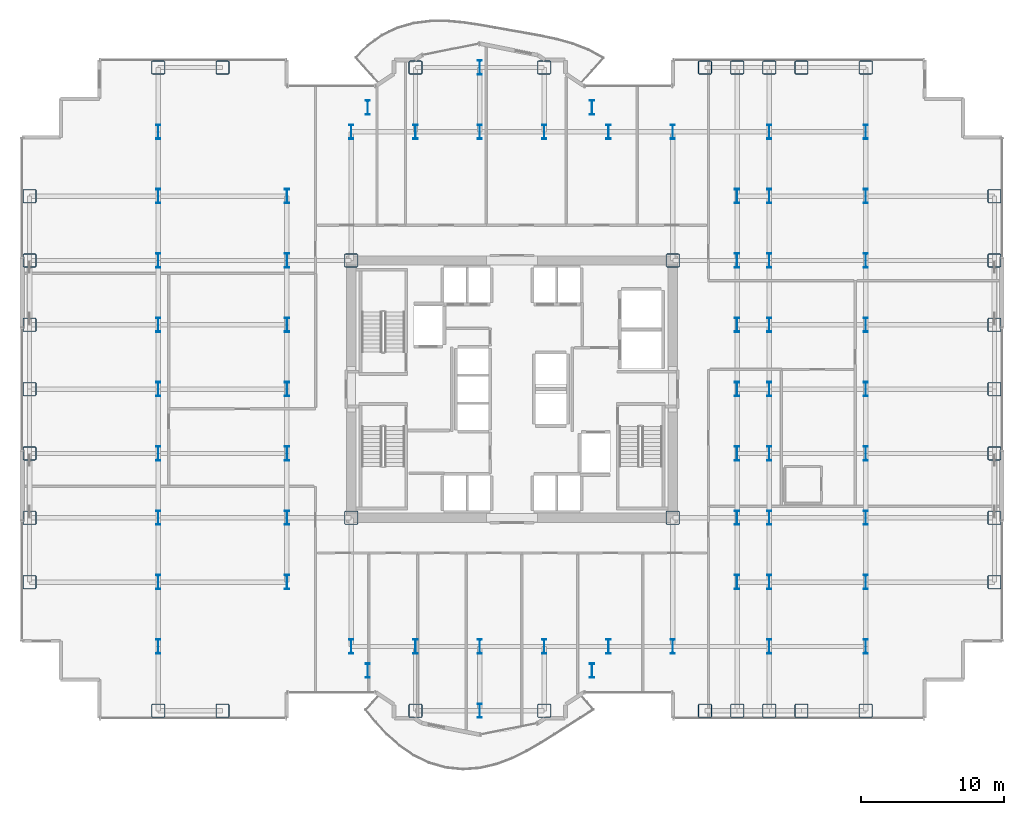
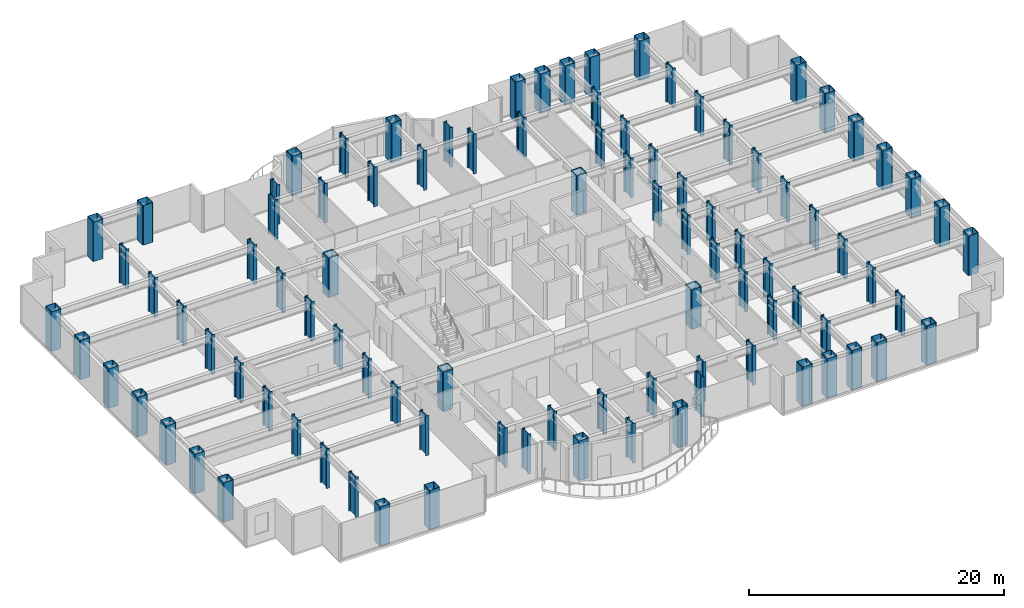
# One storey, part 1 of 29: 95 columns.
"""IFC4 building model written with IfcOpenShell, lengths in metres."""

import ifcopenshell
import ifcopenshell.guid

model = None  # the IFC model being written
_history = None  # IfcOwnerHistory: only IFC2X3 demands one
_inside = {}  # id of a spatial element -> (the spatial element, [elements in it])
_under = {}  # id of a project, library or spatial element -> (it, [spatial elements below it])
_declared = {}  # id of a project -> (the project, [libraries it declares])
_typed = {}  # id of a type object -> (the type object, [elements of that type])
_made_of = {}  # id of a material, layer set ... -> (it, [elements and type objects made of it])


def new_model(schema):
    """Start an empty IFC model of exactly this schema.

    Asked for "IFC4X3", IfcOpenShell would pick the latest addendum, in which some entities
    have other attributes; the version numbers below select the first issue.
    IFC2X3 requires an IfcOwnerHistory on every rooted entity: one is made here for all.
    """
    global model, _history
    if schema == "IFC4X3":
        model = ifcopenshell.file(schema_version=(4, 3, 0, 0))
    else:
        model = ifcopenshell.file(schema=schema)
    _inside.clear()
    _under.clear()
    _declared.clear()
    _typed.clear()
    _made_of.clear()
    _history = None
    if model.schema == "IFC2X3":
        org = make("IfcOrganization", Name="unknown")
        user = make(
            "IfcPersonAndOrganization",
            ThePerson=make("IfcPerson", FamilyName="unknown"),
            TheOrganization=org,
        )
        app = make(
            "IfcApplication",
            ApplicationDeveloper=org,
            Version="unknown",
            ApplicationFullName="unknown",
            ApplicationIdentifier="unknown",
        )
        _history = make(
            "IfcOwnerHistory",
            OwningUser=user,
            OwningApplication=app,
            ChangeAction="ADDED",
            CreationDate=0,
        )
    return model


def make(cls, **values):
    """One entity of the class cls with the attributes given. An attribute that is None is left unset."""
    return model.create_entity(
        cls, **{name: value for name, value in values.items() if value is not None}
    )


def rooted(cls, **values):
    """An entity with a GlobalId (a new one), such as an element, a storey or a relation."""
    return make(cls, GlobalId=ifcopenshell.guid.new(), OwnerHistory=_history, **values)


def si_unit(unit_type, name, prefix=None):
    """IfcSIUnit, for example si_unit("LENGTHUNIT", "METRE", prefix="MILLI")."""
    return make("IfcSIUnit", UnitType=unit_type, Prefix=prefix, Name=name)


def assignment(units):
    """IfcUnitAssignment: the units of a project."""
    return None if units is None else make("IfcUnitAssignment", Units=units)


def point(xyz):
    """IfcCartesianPoint."""
    return None if xyz is None else make("IfcCartesianPoint", Coordinates=xyz)


def direction(xyz):
    """IfcDirection."""
    return None if xyz is None else make("IfcDirection", DirectionRatios=xyz)


def frame(location, z_axis=None, x_axis=None):
    """IfcAxis2Placement3D, a coordinate frame: its origin and axes. An axis left out is left unset."""
    return make(
        "IfcAxis2Placement3D",
        Location=point(location),
        Axis=direction(z_axis),
        RefDirection=direction(x_axis),
    )


def frame_2d(location, x_axis=None):
    """IfcAxis2Placement2D, a coordinate frame in the plane: its origin and x axis."""
    return make(
        "IfcAxis2Placement2D", Location=point(location), RefDirection=direction(x_axis)
    )


def origin():
    """The frame at (0, 0, 0) with its axes left unset."""
    return frame((0.0, 0.0, 0.0))


def origin_2d():
    """The frame at (0, 0) in the plane with its x axis left unset."""
    return frame_2d((0.0, 0.0))


def place(relative_to, where):
    """IfcLocalPlacement: puts the frame where relative to a parent placement (None: the world)."""
    return make(
        "IfcLocalPlacement", PlacementRelTo=relative_to, RelativePlacement=where
    )


def context(
    kind, dimensions, precision=None, world=None, true_north=None, identifier=None
):
    """IfcGeometricRepresentationContext, for example the 3D "Model" context."""
    return make(
        "IfcGeometricRepresentationContext",
        ContextIdentifier=identifier,
        ContextType=kind,
        CoordinateSpaceDimension=dimensions,
        Precision=precision,
        WorldCoordinateSystem=world,
        TrueNorth=true_north,
    )


def subcontext(parent, identifier, kind, view, scale=None):
    """IfcGeometricRepresentationSubContext, for example "Body" below "Model"."""
    return make(
        "IfcGeometricRepresentationSubContext",
        ContextIdentifier=identifier,
        ContextType=kind,
        ParentContext=parent,
        TargetScale=scale,
        TargetView=view,
    )


def project(units=None, contexts=None):
    """IfcProject with its units and contexts."""
    return rooted(
        "IfcProject",
        Name="project",
        RepresentationContexts=contexts,
        UnitsInContext=assignment(units),
    )


def spatial(cls, under=None, at=None, **own):
    """A site, building, storey or space (cls), placed at a placement, below another one or the project."""
    s = rooted(cls, ObjectPlacement=at, **own)
    if under is not None:
        _under.setdefault(under.id(), (under, []))[1].append(s)
    return s


def profile(cls, at=None, kind="AREA", **sizes):
    """A parametric profile (cls). Its sizes go by their IFC names, for example OverallWidth=200.0."""
    return make(cls, ProfileType=kind, Position=at, **sizes)


def hollow_rectangle(**sizes):
    """IfcRectangleHollowProfileDef."""
    return profile("IfcRectangleHollowProfileDef", **sizes)


def i_section(**sizes):
    """IfcIShapeProfileDef."""
    return profile("IfcIShapeProfileDef", **sizes)


def extrude(swept, where, along, depth):
    """IfcExtrudedAreaSolid: the profile swept, set in the frame where, extruded along a direction by depth."""
    return make(
        "IfcExtrudedAreaSolid",
        SweptArea=swept,
        Position=where,
        ExtrudedDirection=direction(along),
        Depth=depth,
    )


def shape(context_of_items, identifier, shape_type, items):
    """IfcShapeRepresentation: the items that make up one representation, for example the "Body"."""
    return make(
        "IfcShapeRepresentation",
        ContextOfItems=context_of_items,
        RepresentationIdentifier=identifier,
        RepresentationType=shape_type,
        Items=items,
    )


def source(mapping_origin, context_of_items, identifier, shape_type, items):
    """IfcRepresentationMap: a shape defined once, which mapped items show again and again."""
    return make(
        "IfcRepresentationMap",
        MappingOrigin=mapping_origin,
        MappedRepresentation=shape(context_of_items, identifier, shape_type, items),
    )


def transform(
    local_origin,
    x_axis=None,
    y_axis=None,
    z_axis=None,
    scale=None,
    scale2=None,
    scale3=None,
    uniform=True,
):
    """IfcCartesianTransformationOperator3D, or its non-uniform kind. x_axis, y_axis, z_axis: its Axis1, 2, 3."""
    if uniform:
        return make(
            "IfcCartesianTransformationOperator3D",
            Axis1=direction(x_axis),
            Axis2=direction(y_axis),
            LocalOrigin=point(local_origin),
            Scale=scale,
            Axis3=direction(z_axis),
        )
    return make(
        "IfcCartesianTransformationOperator3DnonUniform",
        Axis1=direction(x_axis),
        Axis2=direction(y_axis),
        LocalOrigin=point(local_origin),
        Scale=scale,
        Axis3=direction(z_axis),
        Scale2=scale2,
        Scale3=scale3,
    )


def mapped(mapping_source, mapping_target):
    """IfcMappedItem: shows the shape of a source again, moved by a transform."""
    return make(
        "IfcMappedItem", MappingSource=mapping_source, MappingTarget=mapping_target
    )


def material(Name=None, Category=None):
    """IfcMaterial."""
    return make("IfcMaterial", Name=Name, Category=Category)


def material_profile(
    of_material, cross_section, Name=None, Category=None, Priority=None
):
    """IfcMaterialProfile: a cross section and its material."""
    return make(
        "IfcMaterialProfile",
        Name=Name,
        Material=of_material,
        Profile=cross_section,
        Priority=Priority,
        Category=Category,
    )


def profile_set(profiles, Name=None, composite=None):
    """IfcMaterialProfileSet."""
    return make(
        "IfcMaterialProfileSet",
        Name=Name,
        MaterialProfiles=profiles,
        CompositeProfile=composite,
    )


def made_of(thing, what):
    """Note that an element or type object is made of a material, layer set ...; save() writes the relation."""
    if what is not None:
        _made_of.setdefault(what.id(), (what, []))[1].append(thing)
    return thing


def type_object(cls, material=None, **own):
    """A type object (cls), such as IfcWallType, which elements share."""
    return made_of(rooted(cls, **own), material)


def element(
    cls,
    number,
    at=None,
    inside=None,
    cuts=None,
    type_object=None,
    material=None,
    context=None,
    identifier="Body",
    shape_type=None,
    held_by="IfcProductDefinitionShape",
    body=None,
    shapes=None,
    **own,
):
    """One element of the class cls, such as IfcWall. Its Tag is "e" and its number.

    at: its placement. inside: the storey or other place that contains it. cuts: it is an
    opening in that element (IfcRelVoidsElement). A single representation is given by context,
    identifier, shape_type and body (its items); several are given by shapes. held_by: the class
    of the entity that holds the representations. save() writes the other relations.
    """
    e = rooted(cls, Tag="e%d" % number, ObjectPlacement=at, **own)
    if body is not None:
        shapes = [shape(context, identifier, shape_type, body)]
    if shapes is not None:
        e.Representation = make(held_by, Representations=shapes)
    if inside is not None:
        _inside.setdefault(inside.id(), (inside, []))[1].append(e)
    if cuts is not None:
        rooted(
            "IfcRelVoidsElement", RelatingBuildingElement=cuts, RelatedOpeningElement=e
        )
    if type_object is not None:
        _typed.setdefault(type_object.id(), (type_object, []))[1].append(e)
    return made_of(e, material)


def aggregate(whole, parts):
    """IfcRelAggregates: a whole, such as a stair, and the parts it consists of."""
    return rooted("IfcRelAggregates", RelatingObject=whole, RelatedObjects=parts)


def save(model, path):
    """Write the relations noted so far, then the file.

    IfcRelAggregates (storeys below a building ...), IfcRelContainedInSpatialStructure (elements
    in a storey), IfcRelDefinesByType, IfcRelAssociatesMaterial and IfcRelDeclares: one each for
    every whole, place, type object, material and project.
    """
    for whole, parts in _under.values():
        aggregate(whole, parts)
    for where, things in _inside.values():
        rooted(
            "IfcRelContainedInSpatialStructure",
            RelatedElements=things,
            RelatingStructure=where,
        )
    for kind, things in _typed.values():
        rooted("IfcRelDefinesByType", RelatedObjects=things, RelatingType=kind)
    for what, things in _made_of.values():
        rooted("IfcRelAssociatesMaterial", RelatedObjects=things, RelatingMaterial=what)
    for by, libraries in _declared.values():
        rooted("IfcRelDeclares", RelatingContext=by, RelatedDefinitions=libraries)
    model.write(path)


model = new_model("IFC4")

# Units and contexts
model_context = context("Model", 3, precision=1e-05, world=origin(), true_north=direction((0.0, 1.0)))
body_context = subcontext(model_context, "Body", "Model", "MODEL_VIEW")
ifc_project = project(units=[si_unit("LENGTHUNIT", "METRE"), si_unit("AREAUNIT", "SQUARE_METRE"), si_unit("VOLUMEUNIT", "CUBIC_METRE"), si_unit("PLANEANGLEUNIT", "RADIAN"), si_unit("MASSUNIT", "GRAM", prefix="KILO")], contexts=[model_context])

# Site, building, storey
site_placement = place(None, origin())
site = spatial("IfcSite", under=ifc_project, at=site_placement, CompositionType="ELEMENT")
building_placement = place(site_placement, origin())
building = spatial("IfcBuilding", under=site, at=building_placement, Name="Nefas-Gora Pilgrimage Tower", CompositionType="ELEMENT")
storey_placement = place(building_placement, frame((0.0, 0.0, 78.60009765625)))
storey = spatial("IfcBuildingStorey", under=building, at=storey_placement, Name="L18", CompositionType="ELEMENT", Elevation=78.60009765625)

# Columns
ifc_material = material(Name="Steel S460", Category="steel")
ifc_material_profile_1 = material_profile(ifc_material, hollow_rectangle(XDim=0.949951171875, YDim=0.949951171875, WallThickness=0.044921875, InnerFilletRadius=0.044921875, OuterFilletRadius=0.090087890625, at=origin_2d()), Name="BOX 950x950x45")
ifc_profile_set_1 = profile_set([ifc_material_profile_1], Name="Steel S460")
column_type_1 = type_object("IfcColumnType", Name="COL-TUBE-950", PredefinedType="COLUMN", material=ifc_profile_set_1)
shared_shape_1 = source(origin(), body_context, "Body", "SweptSolid", [
    extrude(hollow_rectangle(XDim=0.949951171875, YDim=0.949951171875, WallThickness=0.044921875, InnerFilletRadius=0.044921875, OuterFilletRadius=0.090087890625, at=origin_2d()), origin(), (0.0, 0.0, 1.0), 3.7998046875),
])
for number, where, z_axis, x_axis, name in (
    (1, (-33.75, -13.5, 0.0), (0.0, 0.0, 1.0), (1.0, 0.0, 0.0), "L18 Tower Column C-Z1.1"),
    (2, (-33.75, -9.0, 0.0), (0.0, 0.0, 1.0), (1.0, 0.0, 0.0), "L18 Tower Column C-Z1.2"),
    (3, (-33.75, -4.5, 0.0), (0.0, 0.0, 1.0), (1.0, 0.0, 0.0), "L18 Tower Column C-Z1.3"),
    (4, (-33.75, 0.0, 0.0), (0.0, 0.0, 1.0), (1.0, 0.0, 0.0), "L18 Tower Column C-Z1.4"),
    (5, (-33.75, 4.5, 0.0), (0.0, 0.0, 1.0), (1.0, 0.0, 0.0), "L18 Tower Column C-Z1.5"),
    (6, (-33.75, 9.0, 0.0), (0.0, 0.0, 1.0), (1.0, 0.0, 0.0), "L18 Tower Column C-Z1.6"),
    (7, (-33.75, 13.5, 0.0), (0.0, 0.0, 1.0), (1.0, 0.0, 0.0), "L18 Tower Column C-Z1.7"),
    (8, (-24.75, -22.5, 0.0), (0.0, 0.0, 1.0), (1.0, 0.0, 0.0), "L18 Tower Column C-Z1.8"),
    (9, (-24.75, 22.5, 0.0), (0.0, 0.0, 1.0), (1.0, 0.0, 0.0), "L18 Tower Column C-Z1.18"),
    (10, (-20.25, -22.5, 0.0), (0.0, 0.0, 1.0), (1.0, 0.0, 0.0), "L18 Tower Column C-Z1.19"),
    (11, (-20.25, 22.5, 0.0), (0.0, 0.0, 1.0), (1.0, 0.0, 0.0), "L18 Tower Column C-Z1.20"),
    (12, (-6.75, -22.5, 0.0), (0.0, 0.0, 1.0), (1.0, 0.0, 0.0), "L18 Tower Column C-Z1.34"),
    (13, (-6.75, 22.5, 0.0), (0.0, 0.0, 1.0), (1.0, 0.0, 0.0), "L18 Tower Column C-Z1.37"),
    (14, (2.25, -22.5, 0.0), (0.0, 0.0, 1.0), (1.0, 0.0, 0.0), "L18 Tower Column C-Z1.42"),
    (15, (2.25, 22.5, 0.0), (0.0, 0.0, 1.0), (1.0, 0.0, 0.0), "L18 Tower Column C-Z1.45"),
    (16, (13.5, -22.5, 0.0), (0.0, 0.0, 1.0), (1.0, 0.0, 0.0), "L18 Tower Column C-Z1.54"),
    (17, (13.5, 22.5, 0.0), (0.0, 0.0, 1.0), (1.0, 0.0, 0.0), "L18 Tower Column C-Z1.55"),
    (18, (15.75, -22.5, 0.0), (0.0, 0.0, 1.0), (1.0, 0.0, 0.0), "L18 Tower Column C-Z1.56"),
    (19, (15.75, 22.5, 0.0), (0.0, 0.0, 1.0), (1.0, 0.0, 0.0), "L18 Tower Column C-Z1.64"),
    (20, (18.0, -22.5, 0.0), (0.0, 0.0, 1.0), (1.0, 0.0, 0.0), "L18 Tower Column C-Z1.65"),
    (21, (18.0, 22.5, 0.0), (0.0, 0.0, 1.0), (1.0, 0.0, 0.0), "L18 Tower Column C-Z1.75"),
    (22, (20.25, -22.5, 0.0), (0.0, 0.0, 1.0), (1.0, 0.0, 0.0), "L18 Tower Column C-Z1.76"),
    (23, (20.25, 22.5, 0.0), (0.0, 0.0, 1.0), (1.0, 0.0, 0.0), "L18 Tower Column C-Z1.77"),
    (24, (24.75, -22.5, 0.0), (0.0, 0.0, 1.0), (1.0, 0.0, 0.0), "L18 Tower Column C-Z1.78"),
    (25, (24.75, 22.5, 0.0), (0.0, 0.0, 1.0), (1.0, 0.0, 0.0), "L18 Tower Column C-Z1.88"),
    (26, (33.75, -13.5, 0.0), (0.0, 0.0, 1.0), (1.0, 0.0, 0.0), "L18 Tower Column C-Z1.89"),
    (27, (33.75, -9.0, 0.0), (0.0, 0.0, 1.0), (1.0, 0.0, 0.0), "L18 Tower Column C-Z1.90"),
    (28, (33.75, -4.5, 0.0), (0.0, 0.0, 1.0), (1.0, 0.0, 0.0), "L18 Tower Column C-Z1.91"),
    (29, (33.75, 0.0, 0.0), (0.0, 0.0, 1.0), (1.0, 0.0, 0.0), "L18 Tower Column C-Z1.92"),
    (30, (33.75, 4.5, 0.0), (0.0, 0.0, 1.0), (1.0, 0.0, 0.0), "L18 Tower Column C-Z1.93"),
    (31, (33.75, 9.0, 0.0), (0.0, 0.0, 1.0), (1.0, 0.0, 0.0), "L18 Tower Column C-Z1.94"),
    (32, (33.75, 13.5, 0.0), (0.0, 0.0, 1.0), (1.0, 0.0, 0.0), "L18 Tower Column C-Z1.95"),
):
    element("IfcColumn", number, at=place(storey_placement, frame(where, z_axis=z_axis, x_axis=x_axis)), inside=storey, type_object=column_type_1, Name=name, PredefinedType="COLUMN", context=body_context, shape_type="MappedRepresentation", body=[
        mapped(shared_shape_1, transform((0.0, 0.0, 0.0), x_axis=(1.0, 0.0, 0.0), y_axis=(0.0, 1.0, 0.0), z_axis=(0.0, 0.0, 1.0), scale=1.0)),
    ])
ifc_material_profile_2 = material_profile(ifc_material, i_section(OverallWidth=0.302001953125, OverallDepth=1.008056640625, WebThickness=0.02099609375, FlangeThickness=0.0400390625, FilletRadius=0.030029296875, at=origin_2d()), Name="HEM 1000")
ifc_profile_set_2 = profile_set([ifc_material_profile_2], Name="Steel S460")
column_type_2 = type_object("IfcColumnType", Name="COL-WEB-HEM1000", PredefinedType="COLUMN", material=ifc_profile_set_2)
shared_shape_2 = source(origin(), body_context, "Body", "SweptSolid", [
    extrude(i_section(OverallWidth=0.302001953125, OverallDepth=1.008056640625, WebThickness=0.02099609375, FlangeThickness=0.0400390625, FilletRadius=0.030029296875, at=origin_2d()), origin(), (0.0, 0.0, 1.0), 3.7998046875),
])
for number, where, z_axis, x_axis, name in (
    (33, (-24.75, -18.0, 0.0), (0.0, 0.0, 1.0), (1.0, 0.0, 0.0), "L18 Tower Column CW-01.9"),
    (34, (-24.75, -13.5, 0.0), (0.0, 0.0, 1.0), (1.0, 0.0, 0.0), "L18 Tower Column CW-01.10"),
    (35, (-24.75, -9.0, 0.0), (0.0, 0.0, 1.0), (1.0, 0.0, 0.0), "L18 Tower Column CW-01.11"),
    (36, (-24.75, -4.5, 0.0), (0.0, 0.0, 1.0), (1.0, 0.0, 0.0), "L18 Tower Column CW-01.12"),
    (37, (-24.75, 0.0, 0.0), (0.0, 0.0, 1.0), (1.0, 0.0, 0.0), "L18 Tower Column CW-01.13"),
    (38, (-24.75, 4.5, 0.0), (0.0, 0.0, 1.0), (1.0, 0.0, 0.0), "L18 Tower Column CW-01.14"),
    (39, (-24.75, 9.0, 0.0), (0.0, 0.0, 1.0), (1.0, 0.0, 0.0), "L18 Tower Column CW-01.15"),
    (40, (-24.75, 13.5, 0.0), (0.0, 0.0, 1.0), (1.0, 0.0, 0.0), "L18 Tower Column CW-01.16"),
    (41, (-24.75, 18.0, 0.0), (0.0, 0.0, 1.0), (1.0, 0.0, 0.0), "L18 Tower Column CW-01.17"),
    (42, (-15.75, -13.5, 0.0), (0.0, 0.0, 1.0), (1.0, 0.0, 0.0), "L18 Tower Column CW-01.21"),
    (43, (-15.75, -9.0, 0.0), (0.0, 0.0, 1.0), (1.0, 0.0, 0.0), "L18 Tower Column CW-01.22"),
    (44, (-15.75, -4.5, 0.0), (0.0, 0.0, 1.0), (1.0, 0.0, 0.0), "L18 Tower Column CW-01.23"),
    (45, (-15.75, 0.0, 0.0), (0.0, 0.0, 1.0), (1.0, 0.0, 0.0), "L18 Tower Column CW-01.24"),
    (46, (-15.75, 4.5, 0.0), (0.0, 0.0, 1.0), (1.0, 0.0, 0.0), "L18 Tower Column CW-01.25"),
    (47, (-15.75, 9.0, 0.0), (0.0, 0.0, 1.0), (1.0, 0.0, 0.0), "L18 Tower Column CW-01.26"),
    (48, (-15.75, 13.5, 0.0), (0.0, 0.0, 1.0), (1.0, 0.0, 0.0), "L18 Tower Column CW-01.27"),
    (49, (-11.25, -18.0, 0.0), (0.0, 0.0, 1.0), (1.0, 0.0, 0.0), "L18 Tower Column CW-01.28"),
    (50, (-11.25, 18.0, 0.0), (0.0, 0.0, 1.0), (1.0, 0.0, 0.0), "L18 Tower Column CW-01.31"),
    (51, (-10.091064453125, -19.696044921875, 0.0), (0.0, 0.0, 1.0), (1.0, 0.0, 0.0), "L18 Tower Column CW-01.32"),
    (52, (-10.091064453125, 19.696044921875, 0.0), (0.0, 0.0, 1.0), (1.0, 0.0, 0.0), "L18 Tower Column CW-01.33"),
    (53, (-6.75, -18.0, 0.0), (0.0, 0.0, 1.0), (1.0, 0.0, 0.0), "L18 Tower Column CW-01.35"),
    (54, (-6.75, 18.0, 0.0), (0.0, 0.0, 1.0), (1.0, 0.0, 0.0), "L18 Tower Column CW-01.36"),
    (55, (-2.25, -22.5, 0.0), (0.0, 0.0, 1.0), (1.0, 0.0, 0.0), "L18 Tower Column CW-01.38"),
    (56, (-2.25, -18.0, 0.0), (0.0, 0.0, 1.0), (1.0, 0.0, 0.0), "L18 Tower Column CW-01.39"),
    (57, (-2.25, 18.0, 0.0), (0.0, 0.0, 1.0), (1.0, 0.0, 0.0), "L18 Tower Column CW-01.40"),
    (58, (-2.25, 22.5, 0.0), (0.0, 0.0, 1.0), (1.0, 0.0, 0.0), "L18 Tower Column CW-01.41"),
    (59, (2.25, -18.0, 0.0), (0.0, 0.0, 1.0), (1.0, 0.0, 0.0), "L18 Tower Column CW-01.43"),
    (60, (2.25, 18.0, 0.0), (0.0, 0.0, 1.0), (1.0, 0.0, 0.0), "L18 Tower Column CW-01.44"),
    (61, (5.591064453125, -19.696044921875, 0.0), (0.0, 0.0, 1.0), (1.0, 0.0, 0.0), "L18 Tower Column CW-01.46"),
    (62, (5.591064453125, 19.696044921875, 0.0), (0.0, 0.0, 1.0), (1.0, 0.0, 0.0), "L18 Tower Column CW-01.47"),
    (63, (6.75, -18.0, 0.0), (0.0, 0.0, 1.0), (1.0, 0.0, 0.0), "L18 Tower Column CW-01.48"),
    (64, (6.75, 18.0, 0.0), (0.0, 0.0, 1.0), (1.0, 0.0, 0.0), "L18 Tower Column CW-01.49"),
    (65, (11.25, -18.0, 0.0), (0.0, 0.0, 1.0), (1.0, 0.0, 0.0), "L18 Tower Column CW-01.50"),
    (66, (11.25, 18.0, 0.0), (0.0, 0.0, 1.0), (1.0, 0.0, 0.0), "L18 Tower Column CW-01.53"),
    (67, (15.75, -13.5, 0.0), (0.0, 0.0, 1.0), (1.0, 0.0, 0.0), "L18 Tower Column CW-01.57"),
    (68, (15.75, -9.0, 0.0), (0.0, 0.0, 1.0), (1.0, 0.0, 0.0), "L18 Tower Column CW-01.58"),
    (69, (15.75, -4.5, 0.0), (0.0, 0.0, 1.0), (1.0, 0.0, 0.0), "L18 Tower Column CW-01.59"),
    (70, (15.75, 0.0, 0.0), (0.0, 0.0, 1.0), (1.0, 0.0, 0.0), "L18 Tower Column CW-01.60"),
    (71, (15.75, 4.5, 0.0), (0.0, 0.0, 1.0), (1.0, 0.0, 0.0), "L18 Tower Column CW-01.61"),
    (72, (15.75, 9.0, 0.0), (0.0, 0.0, 1.0), (1.0, 0.0, 0.0), "L18 Tower Column CW-01.62"),
    (73, (15.75, 13.5, 0.0), (0.0, 0.0, 1.0), (1.0, 0.0, 0.0), "L18 Tower Column CW-01.63"),
    (74, (18.0, -18.0, 0.0), (0.0, 0.0, 1.0), (1.0, 0.0, 0.0), "L18 Tower Column CW-01.66"),
    (75, (18.0, -13.5, 0.0), (0.0, 0.0, 1.0), (1.0, 0.0, 0.0), "L18 Tower Column CW-01.67"),
    (76, (18.0, -9.0, 0.0), (0.0, 0.0, 1.0), (1.0, 0.0, 0.0), "L18 Tower Column CW-01.68"),
    (77, (18.0, -4.5, 0.0), (0.0, 0.0, 1.0), (1.0, 0.0, 0.0), "L18 Tower Column CW-01.69"),
    (78, (18.0, 0.0, 0.0), (0.0, 0.0, 1.0), (1.0, 0.0, 0.0), "L18 Tower Column CW-01.70"),
    (79, (18.0, 4.5, 0.0), (0.0, 0.0, 1.0), (1.0, 0.0, 0.0), "L18 Tower Column CW-01.71"),
    (80, (18.0, 9.0, 0.0), (0.0, 0.0, 1.0), (1.0, 0.0, 0.0), "L18 Tower Column CW-01.72"),
    (81, (18.0, 13.5, 0.0), (0.0, 0.0, 1.0), (1.0, 0.0, 0.0), "L18 Tower Column CW-01.73"),
    (82, (18.0, 18.0, 0.0), (0.0, 0.0, 1.0), (1.0, 0.0, 0.0), "L18 Tower Column CW-01.74"),
    (83, (24.75, -18.0, 0.0), (0.0, 0.0, 1.0), (1.0, 0.0, 0.0), "L18 Tower Column CW-01.79"),
    (84, (24.75, -13.5, 0.0), (0.0, 0.0, 1.0), (1.0, 0.0, 0.0), "L18 Tower Column CW-01.80"),
    (85, (24.75, -9.0, 0.0), (0.0, 0.0, 1.0), (1.0, 0.0, 0.0), "L18 Tower Column CW-01.81"),
    (86, (24.75, -4.5, 0.0), (0.0, 0.0, 1.0), (1.0, 0.0, 0.0), "L18 Tower Column CW-01.82"),
    (87, (24.75, 0.0, 0.0), (0.0, 0.0, 1.0), (1.0, 0.0, 0.0), "L18 Tower Column CW-01.83"),
    (88, (24.75, 4.5, 0.0), (0.0, 0.0, 1.0), (1.0, 0.0, 0.0), "L18 Tower Column CW-01.84"),
    (89, (24.75, 9.0, 0.0), (0.0, 0.0, 1.0), (1.0, 0.0, 0.0), "L18 Tower Column CW-01.85"),
    (90, (24.75, 13.5, 0.0), (0.0, 0.0, 1.0), (1.0, 0.0, 0.0), "L18 Tower Column CW-01.86"),
    (91, (24.75, 18.0, 0.0), (0.0, 0.0, 1.0), (1.0, 0.0, 0.0), "L18 Tower Column CW-01.87"),
):
    element("IfcColumn", number, at=place(storey_placement, frame(where, z_axis=z_axis, x_axis=x_axis)), inside=storey, type_object=column_type_2, Name=name, PredefinedType="COLUMN", context=body_context, shape_type="MappedRepresentation", body=[
        mapped(shared_shape_2, transform((0.0, 0.0, 0.0), x_axis=(1.0, 0.0, 0.0), y_axis=(0.0, 1.0, 0.0), z_axis=(0.0, 0.0, 1.0), scale=1.0)),
    ])
ifc_material_profile_3 = material_profile(ifc_material, hollow_rectangle(XDim=0.949951171875, YDim=0.949951171875, WallThickness=0.044921875, InnerFilletRadius=0.044921875, OuterFilletRadius=0.090087890625, at=origin_2d()), Name="BOX 950x950x45")
ifc_profile_set_3 = profile_set([ifc_material_profile_3], Name="Steel S460")
column_type_3 = type_object("IfcColumnType", Name="COL-CORE-950", PredefinedType="COLUMN", material=ifc_profile_set_3)
shared_shape_3 = source(origin(), body_context, "Body", "SweptSolid", [
    extrude(hollow_rectangle(XDim=0.949951171875, YDim=0.949951171875, WallThickness=0.044921875, InnerFilletRadius=0.044921875, OuterFilletRadius=0.090087890625, at=origin_2d()), origin(), (0.0, 0.0, 1.0), 3.7998046875),
])
for number, where, z_axis, x_axis, name in (
    (92, (-11.25, -9.0, 0.0), (0.0, 0.0, 1.0), (1.0, 0.0, 0.0), "L18 Tower Column CC-Z1.29"),
    (93, (-11.25, 9.0, 0.0), (0.0, 0.0, 1.0), (1.0, 0.0, 0.0), "L18 Tower Column CC-Z1.30"),
    (94, (11.25, -9.0, 0.0), (0.0, 0.0, 1.0), (1.0, 0.0, 0.0), "L18 Tower Column CC-Z1.51"),
    (95, (11.25, 9.0, 0.0), (0.0, 0.0, 1.0), (1.0, 0.0, 0.0), "L18 Tower Column CC-Z1.52"),
):
    element("IfcColumn", number, at=place(storey_placement, frame(where, z_axis=z_axis, x_axis=x_axis)), inside=storey, type_object=column_type_3, Name=name, PredefinedType="COLUMN", context=body_context, shape_type="MappedRepresentation", body=[
        mapped(shared_shape_3, transform((0.0, 0.0, 0.0), x_axis=(1.0, 0.0, 0.0), y_axis=(0.0, 1.0, 0.0), z_axis=(0.0, 0.0, 1.0), scale=1.0)),
    ])

save(model, "model.ifc")
